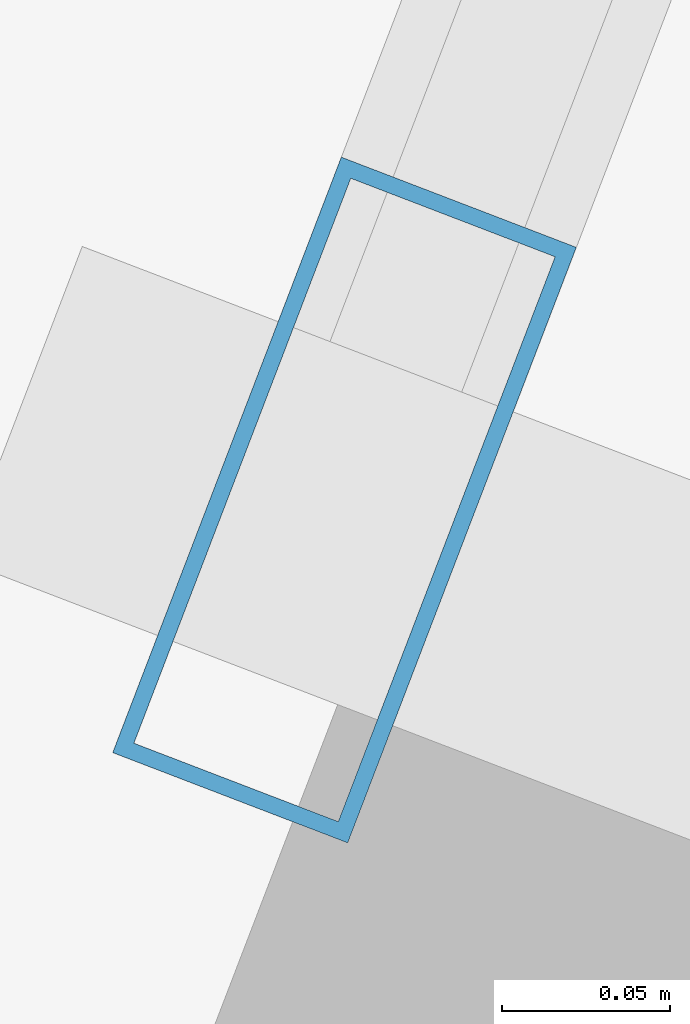
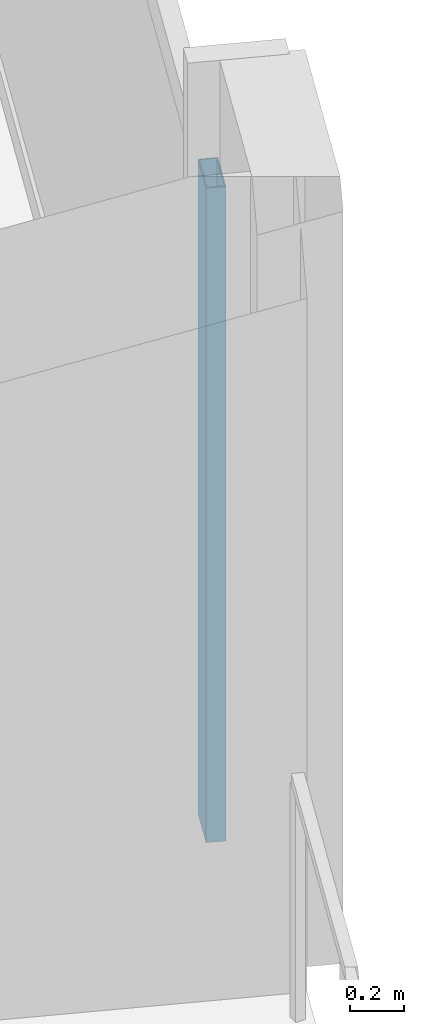
# One storey, part 8 of 27: 1 member, 1 element without a shape of its own.
"""IFC4 building model written with IfcOpenShell, lengths in metres."""

from ifc_helpers import new_model, si_unit, direction, frame, origin, origin_2d, place, context, subcontext, project, spatial, hollow_rectangle, extrude, material, material_profile, profile_set, type_object, element, aggregate, save


model = new_model("IFC4")

# Units and contexts
model_context = context("Model", 3, precision=1e-05, world=origin(), true_north=direction((0.0, 1.0)))
body_context = subcontext(model_context, "Body", "Model", "MODEL_VIEW")
ifc_project = project(units=[si_unit("LENGTHUNIT", "METRE"), si_unit("AREAUNIT", "SQUARE_METRE"), si_unit("VOLUMEUNIT", "CUBIC_METRE"), si_unit("PLANEANGLEUNIT", "RADIAN"), si_unit("MASSUNIT", "GRAM", prefix="KILO")], contexts=[model_context])

# Site, building, storey
site_placement = place(None, origin())
site = spatial("IfcSite", under=ifc_project, at=site_placement, CompositionType="ELEMENT")
building_placement = place(site_placement, origin())
building = spatial("IfcBuilding", under=site, at=building_placement, Name="Haldenkirk Collegiate Tower", CompositionType="ELEMENT")
storey_placement = place(building_placement, frame((0.0, 0.0, 259.949951171875)))
storey = spatial("IfcBuildingStorey", under=building, at=storey_placement, Name="L65", CompositionType="ELEMENT", Elevation=259.949951171875)

# Curtain wall, member
ifc_material = material(Name="Anodised architectural bronze aluminium", Category="aluminium")
curtain_wall_type = type_object("IfcCurtainWallType", Name="CW-SYS2-CONCAVE", PredefinedType="USERDEFINED", material=ifc_material)
curtain_wall_placement = place(storey_placement, origin())
curtain_wall = element("IfcCurtainWall", 1, at=curtain_wall_placement, inside=storey, type_object=curtain_wall_type, Name="L65 South concave recessed bronze-anodised curtain wall", ObjectType="UNITISED CURTAIN WALL", PredefinedType="USERDEFINED")
ifc_material_profile = material_profile(ifc_material, hollow_rectangle(XDim=0.074951171875, YDim=0.18994140625, WallThickness=0.0048828125, at=origin_2d()), Name="CW-MUL-02")
ifc_profile_set = profile_set([ifc_material_profile], Name="Anodised architectural bronze aluminium")
member_type = type_object("IfcMemberType", Name="CW-MUL-02", PredefinedType="MULLION", material=ifc_profile_set)
member_placement = place(storey_placement, frame((50.6162109375, 0.399169921875, 0.0), z_axis=(0.0, 0.0, 1.0), x_axis=(0.933579158551, -0.358371252641, 0.0)))
member = element("IfcMember", 2, at=member_placement, type_object=member_type, Name="CW-02 mullion 5", PredefinedType="MULLION", context=body_context, shape_type="SweptSolid", body=[
    extrude(hollow_rectangle(XDim=0.074951171875, YDim=0.18994140625, WallThickness=0.0048828125, at=origin_2d()), origin(), (0.0, 0.0, 1.0), 2.93798828125),
])
aggregate(curtain_wall, [member])

save(model, "model.ifc")
